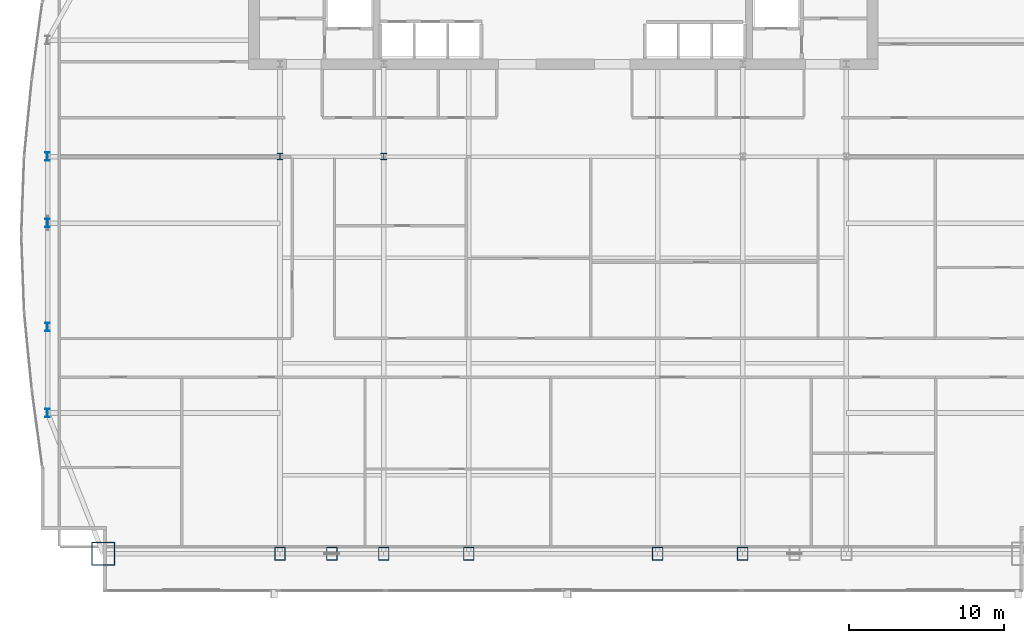
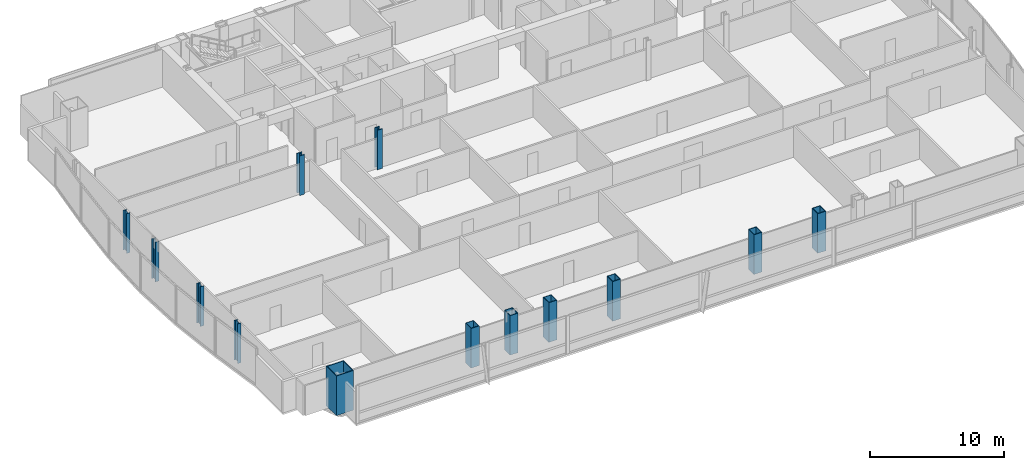
# One storey, part 1 of 32: 13 columns.
"""IFC4 building model written with IfcOpenShell, lengths in metres."""

from ifc_helpers import new_model, si_unit, direction, frame, origin, origin_2d, place, context, subcontext, project, spatial, hollow_rectangle, i_section, extrude, material, material_profile, profile_set, type_object, element, save


model = new_model("IFC4")

# Units and contexts
model_context = context("Model", 3, precision=1e-05, world=origin(), true_north=direction((0.0, 1.0)))
body_context = subcontext(model_context, "Body", "Model", "MODEL_VIEW")
ifc_project = project(units=[si_unit("LENGTHUNIT", "METRE"), si_unit("AREAUNIT", "SQUARE_METRE"), si_unit("VOLUMEUNIT", "CUBIC_METRE"), si_unit("PLANEANGLEUNIT", "RADIAN"), si_unit("MASSUNIT", "GRAM", prefix="KILO")], contexts=[model_context])

# Site, building, storey
site_placement = place(None, origin())
site = spatial("IfcSite", under=ifc_project, at=site_placement, CompositionType="ELEMENT")
building_placement = place(site_placement, origin())
building = spatial("IfcBuilding", under=site, at=building_placement, Name="Khoronbel Lancet Exchange", CompositionType="ELEMENT")
storey_placement = place(building_placement, frame((0.0, 0.0, 125.39990234375)))
storey = spatial("IfcBuildingStorey", under=building, at=storey_placement, Name="L30", CompositionType="ELEMENT", Elevation=125.39990234375)

# Columns
ifc_material_1 = material(Name="Steel S460", Category="steel")
ifc_material_profile_1 = material_profile(ifc_material_1, hollow_rectangle(XDim=0.699951171875, YDim=0.85009765625, WallThickness=0.050048828125, at=origin_2d()), Name="BOX 850x700x50")
ifc_profile_set_1 = profile_set([ifc_material_profile_1], Name="Steel S460")
column_type_1 = type_object("IfcColumnType", Name="COL-EC2", PredefinedType="COLUMN", material=ifc_profile_set_1)
for number, where, z_axis, x_axis, name in (
    (1, (18.22509765625, 10.14990234375, 0.0), (0.0, 0.0, 1.0), (1.0, 0.0, 0.0), "Structural column SC-W1 L30"),
    (2, (21.5625, 10.14990234375, 0.0), (0.0, 0.0, 1.0), (1.0, 0.0, 0.0), "Structural column SC-WM L30"),
    (3, (24.89990234375, 10.14990234375, 0.0), (0.0, 0.0, 1.0), (1.0, 0.0, 0.0), "Structural column SC-W2 L30"),
    (4, (30.375, 10.14990234375, 0.0), (0.0, 0.0, 1.0), (1.0, 0.0, 0.0), "Structural column SC-C1 L30"),
    (5, (42.52490234375, 10.14990234375, 0.0), (0.0, 0.0, 1.0), (1.0, 0.0, 0.0), "Structural column SC-C2 L30"),
    (6, (48.0, 10.14990234375, 0.0), (0.0, 0.0, 1.0), (1.0, 0.0, 0.0), "Structural column SC-E1 L30"),
):
    element("IfcColumn", number, at=place(storey_placement, frame(where, z_axis=z_axis, x_axis=x_axis)), inside=storey, type_object=column_type_1, Name=name, PredefinedType="COLUMN", context=body_context, shape_type="SweptSolid", body=[
        extrude(hollow_rectangle(XDim=0.699951171875, YDim=0.85009765625, WallThickness=0.050048828125, at=origin_2d()), origin(), (0.0, 0.0, 1.0), 3.60009765625),
    ])
ifc_material_profile_2 = material_profile(ifc_material_1, i_section(OverallWidth=0.416015625, OverallDepth=0.446044921875, WebThickness=0.0390625, FlangeThickness=0.062744140625, at=origin_2d()), Name="HD 400x509")
ifc_profile_set_2 = profile_set([ifc_material_profile_2], Name="Steel S460")
column_type_2 = type_object("IfcColumnType", Name="COL-IC2", PredefinedType="COLUMN", material=ifc_profile_set_2)
for number, where, z_axis, x_axis, name in (
    (7, (18.22509765625, 35.699951171875, 0.0), (0.0, 0.0, 1.0), (1.0, 0.0, 0.0), "Spine gravity column TC1 L30"),
    (8, (24.89990234375, 35.699951171875, 0.0), (0.0, 0.0, 1.0), (1.0, 0.0, 0.0), "Spine gravity column TC2 L30"),
):
    element("IfcColumn", number, at=place(storey_placement, frame(where, z_axis=z_axis, x_axis=x_axis)), inside=storey, type_object=column_type_2, Name=name, PredefinedType="COLUMN", context=body_context, shape_type="SweptSolid", body=[
        extrude(i_section(OverallWidth=0.416015625, OverallDepth=0.446044921875, WebThickness=0.0390625, FlangeThickness=0.062744140625, at=origin_2d()), origin(), (0.0, 0.0, 1.0), 3.60009765625),
    ])
ifc_material_2 = material(Name="Steel S355", Category="steel")
ifc_material_profile_3 = material_profile(ifc_material_2, i_section(OverallWidth=0.300048828125, OverallDepth=0.550048828125, WebThickness=0.014892578125, FlangeThickness=0.029052734375, at=origin_2d()), Name="HEB 550")
ifc_profile_set_3 = profile_set([ifc_material_profile_3], Name="Steel S355")
column_type_3 = type_object("IfcColumnType", Name="COL-LC1", PredefinedType="COLUMN", material=ifc_profile_set_3)
for number, where, z_axis, x_axis, name in (
    (9, (3.27001953125, 19.199951171875, 0.0), (0.0, 0.0, 1.0), (1.0, 0.0, 0.0), "Structural column WC-1 L30"),
    (10, (3.27001953125, 24.75, 0.0), (0.0, 0.0, 1.0), (1.0, 0.0, 0.0), "Structural column WC-2 L30"),
    (11, (3.27001953125, 31.425048828125, 0.0), (0.0, 0.0, 1.0), (1.0, 0.0, 0.0), "Structural column WC-M L30"),
    (12, (3.27001953125, 35.699951171875, 0.0), (0.0, 0.0, 1.0), (1.0, 0.0, 0.0), "Structural column WC-3 L30"),
):
    element("IfcColumn", number, at=place(storey_placement, frame(where, z_axis=z_axis, x_axis=x_axis)), inside=storey, type_object=column_type_3, Name=name, PredefinedType="COLUMN", context=body_context, shape_type="SweptSolid", body=[
        extrude(i_section(OverallWidth=0.300048828125, OverallDepth=0.550048828125, WebThickness=0.014892578125, FlangeThickness=0.029052734375, at=origin_2d()), origin(), (0.0, 0.0, 1.0), 3.60009765625),
    ])
ifc_material_profile_4 = material_profile(ifc_material_1, hollow_rectangle(XDim=1.5, YDim=1.5, WallThickness=0.070068359375, at=origin_2d()), Name="BOX 1500x1500x70")
ifc_profile_set_4 = profile_set([ifc_material_profile_4], Name="Steel S460")
column_type_4 = type_object("IfcColumnType", Name="COL-MC3", PredefinedType="COLUMN", material=ifc_profile_set_4)
column_placement = place(storey_placement, frame((6.85009765625, 10.14990234375, 0.0), z_axis=(0.0, 0.0, 1.0), x_axis=(1.0, 0.0, 0.0)))
element("IfcColumn", 13, at=column_placement, inside=storey, type_object=column_type_4, Name="Structural column MC-SW L30", PredefinedType="COLUMN", context=body_context, shape_type="SweptSolid", body=[
    extrude(hollow_rectangle(XDim=1.5, YDim=1.5, WallThickness=0.070068359375, at=origin_2d()), origin(), (0.0, 0.0, 1.0), 3.60009765625),
])

save(model, "model.ifc")
